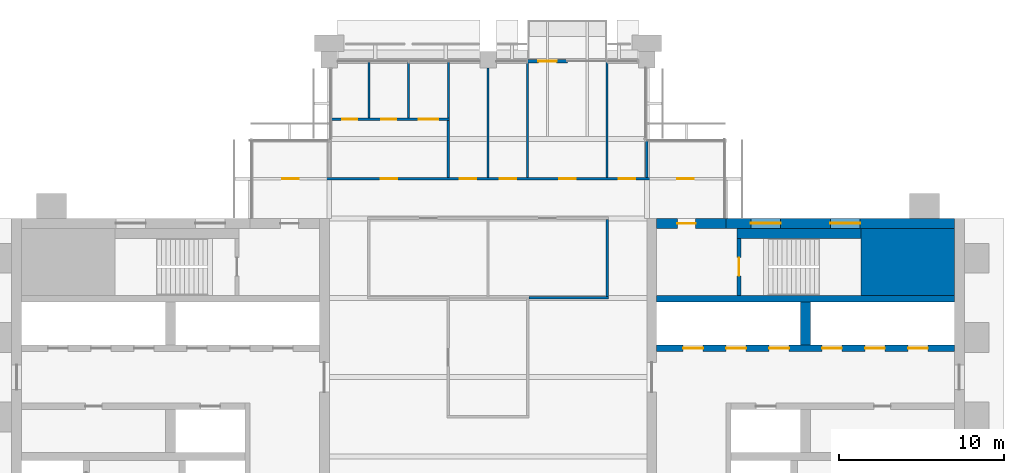
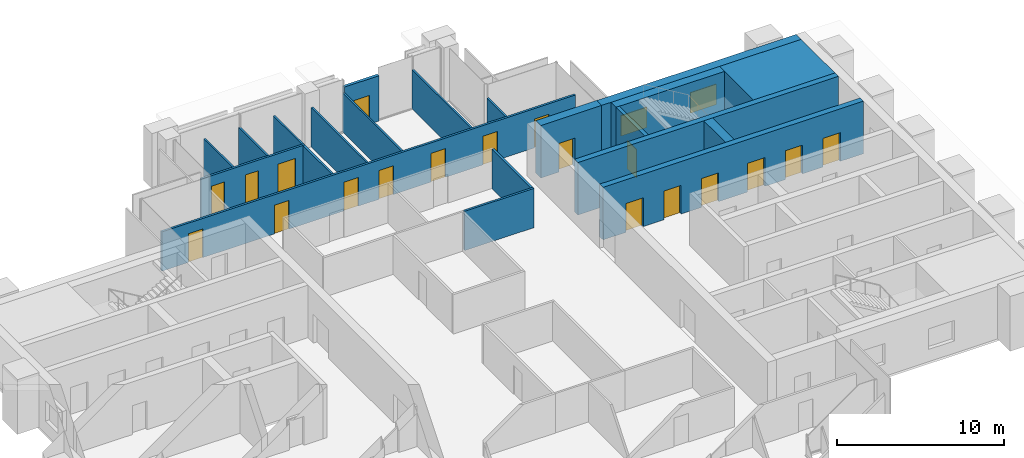
# One storey, part 11 of 13: 21 walls, 19 doors, 2 windows, 21 openings.
"""IFC4 building model written with IfcOpenShell, lengths in metres."""

from ifc_helpers import new_model, si_unit, direction, frame, frame_2d, origin, place, context, subcontext, project, spatial, rectangle, extrude, material, layer, layer_set, type_object, element, fill, save


model = new_model("IFC4")

# Units and contexts
model_context = context("Model", 3, precision=1e-05, world=origin(), true_north=direction((0.0, 1.0)))
body_context = subcontext(model_context, "Body", "Model", "MODEL_VIEW")
ifc_project = project(units=[si_unit("LENGTHUNIT", "METRE"), si_unit("AREAUNIT", "SQUARE_METRE"), si_unit("VOLUMEUNIT", "CUBIC_METRE"), si_unit("PLANEANGLEUNIT", "RADIAN"), si_unit("MASSUNIT", "GRAM", prefix="KILO")], contexts=[model_context])

# Site, building, storey
site_placement = place(None, origin())
site = spatial("IfcSite", under=ifc_project, at=site_placement, CompositionType="ELEMENT")
building_placement = place(site_placement, origin())
building = spatial("IfcBuilding", under=site, at=building_placement, Name="Baori Bourse Tower", CompositionType="ELEMENT")
storey_placement = place(building_placement, frame((0.0, 0.0, 302.300048828125)))
storey = spatial("IfcBuildingStorey", under=building, at=storey_placement, Name="L66", CompositionType="ELEMENT", Elevation=302.300048828125)

# Wall
ifc_material_1 = material(Name="Concrete f'c 40 MPa", Category="concrete")
wall_type_1 = type_object("IfcWallType", Name="Core corner block f'c 40", PredefinedType="SHEAR", material=ifc_material_1)
wall_1_placement = place(storey_placement, frame((51.35009765625, 35.77490234375, 0.0), z_axis=(0.0, 0.0, 1.0), x_axis=(1.0, 0.0, 0.0)))
element("IfcWall", 1, at=wall_1_placement, inside=storey, type_object=wall_type_1, Name="Core wall E23", PredefinedType="SHEAR", context=body_context, shape_type="SweptSolid", body=[
    extrude(rectangle(XDim=5.64990234375, YDim=4.050048828125, at=frame_2d((2.824951171875, 0.0))), origin(), (0.0, 0.0, 1.0), 3.83984375),
])

# Wall, openings, windows
ifc_material_2 = material(Name="Concrete f'c 40 MPa", Category="concrete")
ifc_layer_1 = layer(ifc_material_2, 0.60009765625)
ifc_layer_set_1 = layer_set([ifc_layer_1], Name="Core wall 600 f'c 40")
wall_type_2 = type_object("IfcWallType", Name="Core wall 600 f'c 40", PredefinedType="SHEAR", material=ifc_layer_set_1)
wall_2_placement = place(storey_placement, frame((43.199951171875, 38.10009765625, 0.0), z_axis=(0.0, 0.0, 1.0), x_axis=(1.0, 0.0, 0.0)))
wall_2 = element("IfcWall", 2, at=wall_2_placement, inside=storey, type_object=wall_type_2, Name="Core wall E26", PredefinedType="SHEAR", context=body_context, shape_type="SweptSolid", body=[
    extrude(rectangle(XDim=13.800048828125, YDim=0.60009765625, at=frame_2d((6.89990234375, 0.0))), origin(), (0.0, 0.0, 1.0), 3.83984375),
])
opening_1_placement = place(wall_2_placement, frame((6.300048828125, 0.0, 0.89990234375)))
opening_1 = element("IfcOpeningElement", 3, at=opening_1_placement, cuts=wall_2, Name="Opening L66-KW205", PredefinedType="OPENING", context=body_context, shape_type="SweptSolid", body=[
    extrude(rectangle(XDim=1.800048828125, YDim=1.5, at=frame_2d((0.89990234375, 0.75))), frame((0.0, 0.31005859375, 0.0), z_axis=(0.0, -1.0, 0.0), x_axis=(1.0, 0.0, 0.0)), (0.0, 0.0, 1.0), 0.6201171875),
])
opening_2_placement = place(wall_2_placement, frame((1.5, 0.0, 0.89990234375)))
opening_2 = element("IfcOpeningElement", 4, at=opening_2_placement, cuts=wall_2, Name="Opening L66-KW206", PredefinedType="OPENING", context=body_context, shape_type="SweptSolid", body=[
    extrude(rectangle(XDim=1.800048828125, YDim=1.5, at=frame_2d((0.89990234375, 0.75))), frame((0.0, 0.31005859375, 0.0), z_axis=(0.0, -1.0, 0.0), x_axis=(1.0, 0.0, 0.0)), (0.0, 0.0, 1.0), 0.6201171875),
])
ifc_material_3 = material(Name="Pale anodised aluminium", Category="aluminium")
window_type = type_object("IfcWindowType", Name="Stair window 1800 x 1500", PartitioningType="SINGLE_PANEL", PredefinedType="WINDOW", material=ifc_material_3)
window_1_placement = place(opening_1_placement, origin())
window_1 = element("IfcWindow", 5, at=window_1_placement, inside=storey, type_object=window_type, Name="Stair window E L66 5", OverallHeight=1.5, OverallWidth=1.800048828125, PartitioningType="SINGLE_PANEL", PredefinedType="WINDOW", context=body_context, shape_type="SweptSolid", body=[
    extrude(rectangle(XDim=1.800048828125, YDim=1.5, at=frame_2d((0.89990234375, 0.75))), frame((0.0, 0.030029296875, 0.0), z_axis=(0.0, -1.0, 0.0), x_axis=(1.0, 0.0, 0.0)), (0.0, 0.0, 1.0), 0.06005859375),
])
fill(opening_1, window_1)
window_2_placement = place(opening_2_placement, origin())
window_2 = element("IfcWindow", 6, at=window_2_placement, inside=storey, type_object=window_type, Name="Stair window E L66 6", OverallHeight=1.5, OverallWidth=1.800048828125, PartitioningType="SINGLE_PANEL", PredefinedType="WINDOW", context=body_context, shape_type="SweptSolid", body=[
    extrude(rectangle(XDim=1.800048828125, YDim=1.5, at=frame_2d((0.89990234375, 0.75))), frame((0.0, 0.030029296875, 0.0), z_axis=(0.0, -1.0, 0.0), x_axis=(1.0, 0.0, 0.0)), (0.0, 0.0, 1.0), 0.06005859375),
])
fill(opening_2, window_2)

# Wall, opening, door
wall_3_placement = place(storey_placement, frame((39.0, 38.10009765625, 0.0), z_axis=(0.0, 0.0, 1.0), x_axis=(1.0, 0.0, 0.0)))
wall_3 = element("IfcWall", 7, at=wall_3_placement, inside=storey, type_object=wall_type_2, Name="Core wall E27", PredefinedType="SHEAR", context=body_context, shape_type="SweptSolid", body=[
    extrude(rectangle(XDim=4.199951171875, YDim=0.60009765625, at=frame_2d((2.10009765625, 0.0))), origin(), (0.0, 0.0, 1.0), 3.83984375),
])
opening_3_placement = place(wall_3_placement, frame((1.25, 0.0, 0.0)))
opening_3 = element("IfcOpeningElement", 8, at=opening_3_placement, cuts=wall_3, Name="Opening L66-D204", PredefinedType="OPENING", context=body_context, shape_type="SweptSolid", body=[
    extrude(rectangle(XDim=1.10009765625, YDim=2.10009765625, at=frame_2d((0.550048828125, 1.050048828125))), frame((0.0, 0.31005859375, 0.0), z_axis=(0.0, -1.0, 0.0), x_axis=(1.0, 0.0, 0.0)), (0.0, 0.0, 1.0), 0.6201171875),
])
ifc_material_4 = material(Name="Painted steel door", Category="steel")
door_type_1 = type_object("IfcDoorType", Name="Stair door 1100", OperationType="SINGLE_SWING_LEFT", PredefinedType="DOOR", material=ifc_material_4)
door_1_placement = place(opening_3_placement, origin())
door_1 = element("IfcDoor", 9, at=door_1_placement, inside=storey, type_object=door_type_1, Name="Stair vestibule door B E L66", OperationType="SINGLE_SWING_LEFT", OverallHeight=2.10009765625, OverallWidth=1.10009765625, PredefinedType="DOOR", context=body_context, shape_type="SweptSolid", body=[
    extrude(rectangle(XDim=1.10009765625, YDim=2.10009765625, at=frame_2d((0.550048828125, 1.050048828125))), frame((0.0, 0.02490234375, 0.0), z_axis=(0.0, -1.0, 0.0), x_axis=(1.0, 0.0, 0.0)), (0.0, 0.0, 1.0), 0.050048828125),
])
fill(opening_3, door_1)

# Wall
ifc_material_5 = material(Name="Gypsum board partition")
ifc_layer_2 = layer(ifc_material_5, 0.14990234375)
ifc_layer_set_2 = layer_set([ifc_layer_2], Name="Corridor partition 150")
wall_type_3 = type_object("IfcWallType", Name="Corridor partition 150", PredefinedType="PARTITIONING", material=ifc_layer_set_2)
wall_4_placement = place(storey_placement, frame((31.27490234375, 33.60009765625, 0.0), z_axis=(0.0, 0.0, 1.0), x_axis=(1.0, 0.0, 0.0)))
element("IfcWall", 10, at=wall_4_placement, inside=storey, type_object=wall_type_3, Name="Partition", PredefinedType="PARTITIONING", context=body_context, shape_type="SweptSolid", body=[
    extrude(rectangle(XDim=4.800048828125, YDim=0.14990234375, at=frame_2d((2.39990234375, 0.0))), origin(), (0.0, 0.0, 1.0), 2.86962890625),
])

# Wall, openings, doors
wall_5_placement = place(storey_placement, frame((14.5, 40.800048828125, 0.0), z_axis=(0.0, 0.0, 1.0), x_axis=(1.0, 0.0, 0.0)))
wall_5 = element("IfcWall", 11, at=wall_5_placement, inside=storey, type_object=wall_type_3, Name="Partition", PredefinedType="PARTITIONING", context=body_context, shape_type="SweptSolid", body=[
    extrude(rectangle(XDim=28.60009765625, YDim=0.14990234375, at=frame_2d((14.300048828125, 0.0))), origin(), (0.0, 0.0, 1.0), 2.86962890625),
])
opening_4_placement = place(wall_5_placement, frame((1.85009765625, 0.0, 0.0)))
opening_4 = element("IfcOpeningElement", 12, at=opening_4_placement, cuts=wall_5, Name="Opening L66-D10", PredefinedType="OPENING", context=body_context, shape_type="SweptSolid", body=[
    extrude(rectangle(XDim=1.0, YDim=2.10009765625, at=frame_2d((0.5, 1.050048828125))), frame((0.0, 0.0849609375, 0.0), z_axis=(0.0, -1.0, 0.0), x_axis=(1.0, 0.0, 0.0)), (0.0, 0.0, 1.0), 0.169921875),
])
opening_5_placement = place(wall_5_placement, frame((7.800048828125, 0.0, 0.0)))
opening_5 = element("IfcOpeningElement", 13, at=opening_5_placement, cuts=wall_5, Name="Opening L66-D11", PredefinedType="OPENING", context=body_context, shape_type="SweptSolid", body=[
    extrude(rectangle(XDim=1.0, YDim=2.10009765625, at=frame_2d((0.5, 1.050048828125))), frame((0.0, 0.0849609375, 0.0), z_axis=(0.0, -1.0, 0.0), x_axis=(1.0, 0.0, 0.0)), (0.0, 0.0, 1.0), 0.169921875),
])
opening_6_placement = place(wall_5_placement, frame((12.60009765625, 0.0, 0.0)))
opening_6 = element("IfcOpeningElement", 14, at=opening_6_placement, cuts=wall_5, Name="Opening L66-D12", PredefinedType="OPENING", context=body_context, shape_type="SweptSolid", body=[
    extrude(rectangle(XDim=1.0, YDim=2.10009765625, at=frame_2d((0.5, 1.050048828125))), frame((0.0, 0.0849609375, 0.0), z_axis=(0.0, -1.0, 0.0), x_axis=(1.0, 0.0, 0.0)), (0.0, 0.0, 1.0), 0.169921875),
])
opening_7_placement = place(wall_5_placement, frame((15.0, 0.0, 0.0)))
opening_7 = element("IfcOpeningElement", 15, at=opening_7_placement, cuts=wall_5, Name="Opening L66-D13", PredefinedType="OPENING", context=body_context, shape_type="SweptSolid", body=[
    extrude(rectangle(XDim=1.0, YDim=2.10009765625, at=frame_2d((0.5, 1.050048828125))), frame((0.0, 0.0849609375, 0.0), z_axis=(0.0, -1.0, 0.0), x_axis=(1.0, 0.0, 0.0)), (0.0, 0.0, 1.0), 0.169921875),
])
opening_8_placement = place(wall_5_placement, frame((18.60009765625, 0.0, 0.0)))
opening_8 = element("IfcOpeningElement", 16, at=opening_8_placement, cuts=wall_5, Name="Opening L66-D14", PredefinedType="OPENING", context=body_context, shape_type="SweptSolid", body=[
    extrude(rectangle(XDim=1.0, YDim=2.10009765625, at=frame_2d((0.5, 1.050048828125))), frame((0.0, 0.0849609375, 0.0), z_axis=(0.0, -1.0, 0.0), x_axis=(1.0, 0.0, 0.0)), (0.0, 0.0, 1.0), 0.169921875),
])
opening_9_placement = place(wall_5_placement, frame((22.199951171875, 0.0, 0.0)))
opening_9 = element("IfcOpeningElement", 17, at=opening_9_placement, cuts=wall_5, Name="Opening L66-D15", PredefinedType="OPENING", context=body_context, shape_type="SweptSolid", body=[
    extrude(rectangle(XDim=1.0, YDim=2.10009765625, at=frame_2d((0.5, 1.050048828125))), frame((0.0, 0.0849609375, 0.0), z_axis=(0.0, -1.0, 0.0), x_axis=(1.0, 0.0, 0.0)), (0.0, 0.0, 1.0), 0.169921875),
])
opening_10_placement = place(wall_5_placement, frame((25.75, 0.0, 0.0)))
opening_10 = element("IfcOpeningElement", 18, at=opening_10_placement, cuts=wall_5, Name="Opening L66-D16", PredefinedType="OPENING", context=body_context, shape_type="SweptSolid", body=[
    extrude(rectangle(XDim=1.0, YDim=2.10009765625, at=frame_2d((0.5, 1.050048828125))), frame((0.0, 0.0849609375, 0.0), z_axis=(0.0, -1.0, 0.0), x_axis=(1.0, 0.0, 0.0)), (0.0, 0.0, 1.0), 0.169921875),
])
ifc_material_6 = material(Name="Timber door leaf", Category="wood")
door_type_2 = type_object("IfcDoorType", Name="Door 1000 x 2100", OperationType="SINGLE_SWING_LEFT", PredefinedType="DOOR", material=ifc_material_6)
door_2_placement = place(opening_4_placement, origin())
door_2 = element("IfcDoor", 19, at=door_2_placement, inside=storey, type_object=door_type_2, Name="Door", OperationType="SINGLE_SWING_RIGHT", OverallHeight=2.10009765625, OverallWidth=1.0, PredefinedType="DOOR", context=body_context, shape_type="SweptSolid", body=[
    extrude(rectangle(XDim=1.0, YDim=2.10009765625, at=frame_2d((0.5, 1.050048828125))), frame((0.0, 0.02490234375, 0.0), z_axis=(0.0, -1.0, 0.0), x_axis=(1.0, 0.0, 0.0)), (0.0, 0.0, 1.0), 0.050048828125),
])
fill(opening_4, door_2)
door_3_placement = place(opening_5_placement, origin())
door_3 = element("IfcDoor", 20, at=door_3_placement, inside=storey, type_object=door_type_2, Name="Door", OperationType="SINGLE_SWING_LEFT", OverallHeight=2.10009765625, OverallWidth=1.0, PredefinedType="DOOR", context=body_context, shape_type="SweptSolid", body=[
    extrude(rectangle(XDim=1.0, YDim=2.10009765625, at=frame_2d((0.5, 1.050048828125))), frame((0.0, 0.02490234375, 0.0), z_axis=(0.0, -1.0, 0.0), x_axis=(1.0, 0.0, 0.0)), (0.0, 0.0, 1.0), 0.050048828125),
])
fill(opening_5, door_3)
door_4_placement = place(opening_6_placement, origin())
door_4 = element("IfcDoor", 21, at=door_4_placement, inside=storey, type_object=door_type_2, Name="Door", OperationType="SINGLE_SWING_RIGHT", OverallHeight=2.10009765625, OverallWidth=1.0, PredefinedType="DOOR", context=body_context, shape_type="SweptSolid", body=[
    extrude(rectangle(XDim=1.0, YDim=2.10009765625, at=frame_2d((0.5, 1.050048828125))), frame((0.0, 0.02490234375, 0.0), z_axis=(0.0, -1.0, 0.0), x_axis=(1.0, 0.0, 0.0)), (0.0, 0.0, 1.0), 0.050048828125),
])
fill(opening_6, door_4)
door_5_placement = place(opening_7_placement, origin())
door_5 = element("IfcDoor", 22, at=door_5_placement, inside=storey, type_object=door_type_2, Name="Door", OperationType="SINGLE_SWING_LEFT", OverallHeight=2.10009765625, OverallWidth=1.0, PredefinedType="DOOR", context=body_context, shape_type="SweptSolid", body=[
    extrude(rectangle(XDim=1.0, YDim=2.10009765625, at=frame_2d((0.5, 1.050048828125))), frame((0.0, 0.02490234375, 0.0), z_axis=(0.0, -1.0, 0.0), x_axis=(1.0, 0.0, 0.0)), (0.0, 0.0, 1.0), 0.050048828125),
])
fill(opening_7, door_5)
door_6_placement = place(opening_8_placement, origin())
door_6 = element("IfcDoor", 23, at=door_6_placement, inside=storey, type_object=door_type_2, Name="Door", OperationType="SINGLE_SWING_LEFT", OverallHeight=2.10009765625, OverallWidth=1.0, PredefinedType="DOOR", context=body_context, shape_type="SweptSolid", body=[
    extrude(rectangle(XDim=1.0, YDim=2.10009765625, at=frame_2d((0.5, 1.050048828125))), frame((0.0, 0.02490234375, 0.0), z_axis=(0.0, -1.0, 0.0), x_axis=(1.0, 0.0, 0.0)), (0.0, 0.0, 1.0), 0.050048828125),
])
fill(opening_8, door_6)
door_7_placement = place(opening_9_placement, origin())
door_7 = element("IfcDoor", 24, at=door_7_placement, inside=storey, type_object=door_type_2, Name="Door", OperationType="SINGLE_SWING_LEFT", OverallHeight=2.10009765625, OverallWidth=1.0, PredefinedType="DOOR", context=body_context, shape_type="SweptSolid", body=[
    extrude(rectangle(XDim=1.0, YDim=2.10009765625, at=frame_2d((0.5, 1.050048828125))), frame((0.0, 0.02490234375, 0.0), z_axis=(0.0, -1.0, 0.0), x_axis=(1.0, 0.0, 0.0)), (0.0, 0.0, 1.0), 0.050048828125),
])
fill(opening_9, door_7)
door_8_placement = place(opening_10_placement, origin())
door_8 = element("IfcDoor", 25, at=door_8_placement, inside=storey, type_object=door_type_2, Name="Door", OperationType="SINGLE_SWING_LEFT", OverallHeight=2.10009765625, OverallWidth=1.0, PredefinedType="DOOR", context=body_context, shape_type="SweptSolid", body=[
    extrude(rectangle(XDim=1.0, YDim=2.10009765625, at=frame_2d((0.5, 1.050048828125))), frame((0.0, 0.02490234375, 0.0), z_axis=(0.0, -1.0, 0.0), x_axis=(1.0, 0.0, 0.0)), (0.0, 0.0, 1.0), 0.050048828125),
])
fill(opening_10, door_8)

wall_6_placement = place(storey_placement, frame((19.300048828125, 44.39990234375, 0.0), z_axis=(0.0, 0.0, 1.0), x_axis=(1.0, 0.0, 0.0)))
wall_6 = element("IfcWall", 26, at=wall_6_placement, inside=storey, type_object=wall_type_3, Name="Partition", PredefinedType="PARTITIONING", context=body_context, shape_type="SweptSolid", body=[
    extrude(rectangle(XDim=7.175048828125, YDim=0.14990234375, at=frame_2d((3.58740234375, 0.0))), origin(), (0.0, 0.0, 1.0), 2.86962890625),
])
opening_11_placement = place(wall_6_placement, frame((0.699951171875, 0.0, 0.0)))
opening_11 = element("IfcOpeningElement", 27, at=opening_11_placement, cuts=wall_6, Name="Opening L66-D17", PredefinedType="OPENING", context=body_context, shape_type="SweptSolid", body=[
    extrude(rectangle(XDim=0.89990234375, YDim=2.10009765625, at=frame_2d((0.449951171875, 1.050048828125))), frame((0.0, 0.0849609375, 0.0), z_axis=(0.0, -1.0, 0.0), x_axis=(1.0, 0.0, 0.0)), (0.0, 0.0, 1.0), 0.169921875),
])
opening_12_placement = place(wall_6_placement, frame((3.050048828125, 0.0, 0.0)))
opening_12 = element("IfcOpeningElement", 28, at=opening_12_placement, cuts=wall_6, Name="Opening L66-D18", PredefinedType="OPENING", context=body_context, shape_type="SweptSolid", body=[
    extrude(rectangle(XDim=0.89990234375, YDim=2.10009765625, at=frame_2d((0.449951171875, 1.050048828125))), frame((0.0, 0.0849609375, 0.0), z_axis=(0.0, -1.0, 0.0), x_axis=(1.0, 0.0, 0.0)), (0.0, 0.0, 1.0), 0.169921875),
])
opening_13_placement = place(wall_6_placement, frame((5.300048828125, 0.0, 0.0)))
opening_13 = element("IfcOpeningElement", 29, at=opening_13_placement, cuts=wall_6, Name="Opening L66-D19", PredefinedType="OPENING", context=body_context, shape_type="SweptSolid", body=[
    extrude(rectangle(XDim=1.199951171875, YDim=2.10009765625, at=frame_2d((0.60009765625, 1.050048828125))), frame((0.0, 0.0849609375, 0.0), z_axis=(0.0, -1.0, 0.0), x_axis=(1.0, 0.0, 0.0)), (0.0, 0.0, 1.0), 0.169921875),
])
ifc_material_7 = material(Name="Timber door leaf", Category="wood")
door_type_3 = type_object("IfcDoorType", Name="Door 1200 x 2100", OperationType="SINGLE_SWING_LEFT", PredefinedType="DOOR", material=ifc_material_7)
door_9_placement = place(opening_13_placement, origin())
door_9 = element("IfcDoor", 30, at=door_9_placement, inside=storey, type_object=door_type_3, Name="Door", OperationType="SINGLE_SWING_LEFT", OverallHeight=2.10009765625, OverallWidth=1.199951171875, PredefinedType="DOOR", context=body_context, shape_type="SweptSolid", body=[
    extrude(rectangle(XDim=1.199951171875, YDim=2.10009765625, at=frame_2d((0.60009765625, 1.050048828125))), frame((0.0, 0.02490234375, 0.0), z_axis=(0.0, -1.0, 0.0), x_axis=(1.0, 0.0, 0.0)), (0.0, 0.0, 1.0), 0.050048828125),
])
fill(opening_13, door_9)
ifc_material_8 = material(Name="Timber door leaf", Category="wood")
door_type_4 = type_object("IfcDoorType", Name="Door 900 x 2100", OperationType="SINGLE_SWING_LEFT", PredefinedType="DOOR", material=ifc_material_8)
door_10_placement = place(opening_11_placement, origin())
door_10 = element("IfcDoor", 31, at=door_10_placement, inside=storey, type_object=door_type_4, Name="Door", OperationType="SINGLE_SWING_RIGHT", OverallHeight=2.10009765625, OverallWidth=0.89990234375, PredefinedType="DOOR", context=body_context, shape_type="SweptSolid", body=[
    extrude(rectangle(XDim=0.89990234375, YDim=2.10009765625, at=frame_2d((0.449951171875, 1.050048828125))), frame((0.0, 0.02490234375, 0.0), z_axis=(0.0, -1.0, 0.0), x_axis=(1.0, 0.0, 0.0)), (0.0, 0.0, 1.0), 0.050048828125),
])
fill(opening_11, door_10)
door_11_placement = place(opening_12_placement, origin())
door_11 = element("IfcDoor", 32, at=door_11_placement, inside=storey, type_object=door_type_4, Name="Door", OperationType="SINGLE_SWING_RIGHT", OverallHeight=2.10009765625, OverallWidth=0.89990234375, PredefinedType="DOOR", context=body_context, shape_type="SweptSolid", body=[
    extrude(rectangle(XDim=0.89990234375, YDim=2.10009765625, at=frame_2d((0.449951171875, 1.050048828125))), frame((0.0, 0.02490234375, 0.0), z_axis=(0.0, -1.0, 0.0), x_axis=(1.0, 0.0, 0.0)), (0.0, 0.0, 1.0), 0.050048828125),
])
fill(opening_12, door_11)

# Walls
wall_7_placement = place(storey_placement, frame((26.39990234375, 40.875, 0.0), z_axis=(0.0, 0.0, 1.0), x_axis=(0.0, 1.0, 0.0)))
element("IfcWall", 33, at=wall_7_placement, inside=storey, type_object=wall_type_3, Name="Partition", PredefinedType="PARTITIONING", context=body_context, shape_type="SweptSolid", body=[
    extrude(rectangle(XDim=3.449951171875, YDim=0.14990234375, at=frame_2d((1.72509765625, 0.0))), origin(), (0.0, 0.0, 1.0), 2.86962890625),
])
wall_8_placement = place(storey_placement, frame((36.0, 33.675048828125, 0.0), z_axis=(0.0, 0.0, 1.0), x_axis=(0.0, 1.0, 0.0)))
element("IfcWall", 34, at=wall_8_placement, inside=storey, type_object=wall_type_3, Name="Partition", PredefinedType="PARTITIONING", context=body_context, shape_type="SweptSolid", body=[
    extrude(rectangle(XDim=4.64990234375, YDim=0.14990234375, at=frame_2d((2.324951171875, 0.0))), origin(), (0.0, 0.0, 1.0), 2.86962890625),
])

# Wall, opening, door
ifc_material_9 = material(Name="Pale anodised aluminium", Category="aluminium")
ifc_layer_3 = layer(ifc_material_9, 0.199951171875)
ifc_layer_set_3 = layer_set([ifc_layer_3], Name="EW1 External wall bay")
wall_type_4 = type_object("IfcWallType", Name="EW1 External wall bay", PredefinedType="SOLIDWALL", material=ifc_layer_set_3)
wall_9_placement = place(storey_placement, frame((33.60009765625, 47.89990234375, 0.0), z_axis=(0.0, 0.0, 1.0), x_axis=(-1.0, 0.0, 0.0)))
wall_9 = element("IfcWall", 35, at=wall_9_placement, inside=storey, type_object=wall_type_4, Name="External wall bay L66 1", PredefinedType="SOLIDWALL", context=body_context, shape_type="SweptSolid", body=[
    extrude(rectangle(XDim=2.400146484375, YDim=0.199951171875, at=frame_2d((1.2001953125, 0.0))), origin(), (0.0, 0.0, 1.0), 3.314208984375),
])
opening_14_placement = place(wall_9_placement, frame((0.64990234375, 0.0, 0.0)))
opening_14 = element("IfcOpeningElement", 36, at=opening_14_placement, cuts=wall_9, Name="Opening L66-D91", PredefinedType="OPENING", context=body_context, shape_type="SweptSolid", body=[
    extrude(rectangle(XDim=1.10009765625, YDim=2.10009765625, at=frame_2d((0.550048828125, 1.050048828125))), frame((0.0, 0.10986328125, 0.0), z_axis=(0.0, -1.0, 0.0), x_axis=(1.0, 0.0, 0.0)), (0.0, 0.0, 1.0), 0.219970703125),
])
ifc_material_10 = material(Name="Pale anodised aluminium", Category="aluminium")
door_type_5 = type_object("IfcDoorType", Name="BL1 Balcony door", OperationType="SINGLE_SWING_LEFT", PredefinedType="DOOR", material=ifc_material_10)
door_12_placement = place(opening_14_placement, origin())
door_12 = element("IfcDoor", 37, at=door_12_placement, inside=storey, type_object=door_type_5, Name="Balcony door L66 1", OperationType="SINGLE_SWING_LEFT", OverallHeight=2.10009765625, OverallWidth=1.10009765625, PredefinedType="DOOR", context=body_context, shape_type="SweptSolid", body=[
    extrude(rectangle(XDim=1.10009765625, YDim=2.10009765625, at=frame_2d((0.550048828125, 1.050048828125))), frame((0.0, 0.02490234375, 0.0), z_axis=(0.0, -1.0, 0.0), x_axis=(1.0, 0.0, 0.0)), (0.0, 0.0, 1.0), 0.050048828125),
])
fill(opening_14, door_12)

# Walls
ifc_material_11 = material(Name="Gypsum board partition")
ifc_layer_4 = layer(ifc_material_11, 0.125)
ifc_layer_set_4 = layer_set([ifc_layer_4], Name="Partition 125")
wall_type_5 = type_object("IfcWallType", Name="Partition 125", PredefinedType="PARTITIONING", material=ifc_layer_set_4)
for number, where, z_axis, x_axis, name in (
    (38, (21.60009765625, 44.47509765625, 0.0), (0.0, 0.0, 1.0), (0.0, 1.0, 0.0), "Partition"),
    (39, (24.0, 44.47509765625, 0.0), (0.0, 0.0, 1.0), (0.0, 1.0, 0.0), "Partition"),
    (40, (26.39990234375, 44.47509765625, 0.0), (0.0, 0.0, 1.0), (0.0, 1.0, 0.0), "Partition"),
):
    element("IfcWall", number, at=place(storey_placement, frame(where, z_axis=z_axis, x_axis=x_axis)), inside=storey, type_object=wall_type_5, Name=name, PredefinedType="PARTITIONING", context=body_context, shape_type="SweptSolid", body=[
        extrude(rectangle(XDim=3.4248046875, YDim=0.125, at=frame_2d((1.71240234375, 0.0))), origin(), (0.0, 0.0, 1.0), 2.86962890625),
    ])
wall_10_placement = place(storey_placement, frame((28.800048828125, 40.875, 0.0), z_axis=(0.0, 0.0, 1.0), x_axis=(0.0, 1.0, 0.0)))
element("IfcWall", 41, at=wall_10_placement, inside=storey, type_object=wall_type_5, Name="Partition", PredefinedType="PARTITIONING", context=body_context, shape_type="SweptSolid", body=[
    extrude(rectangle(XDim=6.625, YDim=0.125, at=frame_2d((3.3125, 0.0))), origin(), (0.0, 0.0, 1.0), 2.86962890625),
])
for number, where, z_axis, x_axis, name in (
    (42, (31.199951171875, 40.875, 0.0), (0.0, 0.0, 1.0), (0.0, 1.0, 0.0), "Partition"),
    (43, (36.0, 40.875, 0.0), (0.0, 0.0, 1.0), (0.0, 1.0, 0.0), "Partition"),
):
    element("IfcWall", number, at=place(storey_placement, frame(where, z_axis=z_axis, x_axis=x_axis)), inside=storey, type_object=wall_type_5, Name=name, PredefinedType="PARTITIONING", context=body_context, shape_type="SweptSolid", body=[
        extrude(rectangle(XDim=7.02490234375, YDim=0.125, at=frame_2d((3.512451171875, 0.0))), origin(), (0.0, 0.0, 1.0), 2.86962890625),
    ])
wall_11_placement = place(storey_placement, frame((38.39990234375, 40.875, 0.0), z_axis=(0.0, 0.0, 1.0), x_axis=(0.0, 1.0, 0.0)))
element("IfcWall", 44, at=wall_11_placement, inside=storey, type_object=wall_type_5, Name="Partition", PredefinedType="PARTITIONING", context=body_context, shape_type="SweptSolid", body=[
    extrude(rectangle(XDim=2.22509765625, YDim=0.125, at=frame_2d((1.112548828125, 0.0))), origin(), (0.0, 0.0, 1.0), 2.86962890625),
])

# Wall, opening, door
ifc_material_12 = material(Name="Concrete f'c 40 MPa", Category="concrete")
ifc_layer_5 = layer(ifc_material_12, 0.25)
ifc_layer_set_5 = layer_set([ifc_layer_5], Name="Shaft wall 250 f'c 40")
wall_type_6 = type_object("IfcWallType", Name="Shaft wall 250 f'c 40", PredefinedType="SHEAR", material=ifc_layer_set_5)
wall_12_placement = place(storey_placement, frame((43.97509765625, 33.75, 0.0), z_axis=(0.0, 0.0, 1.0), x_axis=(0.0, 1.0, 0.0)))
wall_12 = element("IfcWall", 45, at=wall_12_placement, inside=storey, type_object=wall_type_6, Name="Core wall E24", PredefinedType="SHEAR", context=body_context, shape_type="SweptSolid", body=[
    extrude(rectangle(XDim=3.449951171875, YDim=0.25, at=frame_2d((1.72509765625, 0.0))), origin(), (0.0, 0.0, 1.0), 3.83984375),
])
opening_15_placement = place(wall_12_placement, frame((1.175048828125, 0.0, 0.0)))
opening_15 = element("IfcOpeningElement", 46, at=opening_15_placement, cuts=wall_12, Name="Opening L66-D203", PredefinedType="OPENING", context=body_context, shape_type="SweptSolid", body=[
    extrude(rectangle(XDim=1.10009765625, YDim=2.10009765625, at=frame_2d((0.550048828125, 1.050048828125))), frame((0.0, 0.135009765625, 0.0), z_axis=(0.0, -1.0, 0.0), x_axis=(1.0, 0.0, 0.0)), (0.0, 0.0, 1.0), 0.27001953125),
])
door_13_placement = place(opening_15_placement, origin())
door_13 = element("IfcDoor", 47, at=door_13_placement, inside=storey, type_object=door_type_1, Name="Stair door B E L66", OperationType="SINGLE_SWING_LEFT", OverallHeight=2.10009765625, OverallWidth=1.10009765625, PredefinedType="DOOR", context=body_context, shape_type="SweptSolid", body=[
    extrude(rectangle(XDim=1.10009765625, YDim=2.10009765625, at=frame_2d((0.550048828125, 1.050048828125))), frame((0.0, 0.02490234375, 0.0), z_axis=(0.0, -1.0, 0.0), x_axis=(1.0, 0.0, 0.0)), (0.0, 0.0, 1.0), 0.050048828125),
])
fill(opening_15, door_13)

# Wall, openings, doors
ifc_material_13 = material(Name="Concrete f'c 40 MPa", Category="concrete")
ifc_layer_6 = layer(ifc_material_13, 0.39990234375)
ifc_layer_set_6 = layer_set([ifc_layer_6], Name="Shaft wall 400 f'c 40")
wall_type_7 = type_object("IfcWallType", Name="Shaft wall 400 f'c 40", PredefinedType="SHEAR", material=ifc_layer_set_6)
wall_13_placement = place(storey_placement, frame((39.0, 30.550048828125, 0.0), z_axis=(0.0, 0.0, 1.0), x_axis=(1.0, 0.0, 0.0)))
wall_13 = element("IfcWall", 48, at=wall_13_placement, inside=storey, type_object=wall_type_7, Name="Core wall E20", PredefinedType="SHEAR", context=body_context, shape_type="SweptSolid", body=[
    extrude(rectangle(XDim=18.0, YDim=0.39990234375, at=frame_2d((9.0, 0.0))), origin(), (0.0, 0.0, 1.0), 3.83984375),
])
opening_16_placement = place(wall_13_placement, frame((15.199951171875, 0.0, 0.0)))
opening_16 = element("IfcOpeningElement", 49, at=opening_16_placement, cuts=wall_13, Name="Opening L66-D214", PredefinedType="OPENING", context=body_context, shape_type="SweptSolid", body=[
    extrude(rectangle(XDim=1.199951171875, YDim=2.10009765625, at=frame_2d((0.60009765625, 1.050048828125))), frame((0.0, 0.2099609375, 0.0), z_axis=(0.0, -1.0, 0.0), x_axis=(1.0, 0.0, 0.0)), (0.0, 0.0, 1.0), 0.419921875),
])
opening_17_placement = place(wall_13_placement, frame((12.60009765625, 0.0, 0.0)))
opening_17 = element("IfcOpeningElement", 50, at=opening_17_placement, cuts=wall_13, Name="Opening L66-D215", PredefinedType="OPENING", context=body_context, shape_type="SweptSolid", body=[
    extrude(rectangle(XDim=1.199951171875, YDim=2.10009765625, at=frame_2d((0.60009765625, 1.050048828125))), frame((0.0, 0.2099609375, 0.0), z_axis=(0.0, -1.0, 0.0), x_axis=(1.0, 0.0, 0.0)), (0.0, 0.0, 1.0), 0.419921875),
])
opening_18_placement = place(wall_13_placement, frame((10.0, 0.0, 0.0)))
opening_18 = element("IfcOpeningElement", 51, at=opening_18_placement, cuts=wall_13, Name="Opening L66-D216", PredefinedType="OPENING", context=body_context, shape_type="SweptSolid", body=[
    extrude(rectangle(XDim=1.199951171875, YDim=2.10009765625, at=frame_2d((0.60009765625, 1.050048828125))), frame((0.0, 0.2099609375, 0.0), z_axis=(0.0, -1.0, 0.0), x_axis=(1.0, 0.0, 0.0)), (0.0, 0.0, 1.0), 0.419921875),
])
opening_19_placement = place(wall_13_placement, frame((6.800048828125, 0.0, 0.0)))
opening_19 = element("IfcOpeningElement", 52, at=opening_19_placement, cuts=wall_13, Name="Opening L66-D217", PredefinedType="OPENING", context=body_context, shape_type="SweptSolid", body=[
    extrude(rectangle(XDim=1.199951171875, YDim=2.10009765625, at=frame_2d((0.60009765625, 1.050048828125))), frame((0.0, 0.2099609375, 0.0), z_axis=(0.0, -1.0, 0.0), x_axis=(1.0, 0.0, 0.0)), (0.0, 0.0, 1.0), 0.419921875),
])
opening_20_placement = place(wall_13_placement, frame((4.199951171875, 0.0, 0.0)))
opening_20 = element("IfcOpeningElement", 53, at=opening_20_placement, cuts=wall_13, Name="Opening L66-D218", PredefinedType="OPENING", context=body_context, shape_type="SweptSolid", body=[
    extrude(rectangle(XDim=1.199951171875, YDim=2.10009765625, at=frame_2d((0.60009765625, 1.050048828125))), frame((0.0, 0.2099609375, 0.0), z_axis=(0.0, -1.0, 0.0), x_axis=(1.0, 0.0, 0.0)), (0.0, 0.0, 1.0), 0.419921875),
])
opening_21_placement = place(wall_13_placement, frame((1.60009765625, 0.0, 0.0)))
opening_21 = element("IfcOpeningElement", 54, at=opening_21_placement, cuts=wall_13, Name="Opening L66-D219", PredefinedType="OPENING", context=body_context, shape_type="SweptSolid", body=[
    extrude(rectangle(XDim=1.199951171875, YDim=2.10009765625, at=frame_2d((0.60009765625, 1.050048828125))), frame((0.0, 0.2099609375, 0.0), z_axis=(0.0, -1.0, 0.0), x_axis=(1.0, 0.0, 0.0)), (0.0, 0.0, 1.0), 0.419921875),
])
ifc_material_14 = material(Name="Stainless steel door", Category="steel")
door_type_6 = type_object("IfcDoorType", Name="Lift landing door", OperationType="DOUBLE_DOOR_SLIDING", PredefinedType="DOOR", material=ifc_material_14)
door_14_placement = place(opening_16_placement, origin())
door_14 = element("IfcDoor", 55, at=door_14_placement, inside=storey, type_object=door_type_6, Name="Lift landing door HR1 E L66", OperationType="DOUBLE_DOOR_SLIDING", OverallHeight=2.10009765625, OverallWidth=1.199951171875, PredefinedType="DOOR", context=body_context, shape_type="SweptSolid", body=[
    extrude(rectangle(XDim=1.199951171875, YDim=2.10009765625, at=frame_2d((0.60009765625, 1.050048828125))), frame((0.0, 0.02490234375, 0.0), z_axis=(0.0, -1.0, 0.0), x_axis=(1.0, 0.0, 0.0)), (0.0, 0.0, 1.0), 0.050048828125),
])
fill(opening_16, door_14)
door_15_placement = place(opening_17_placement, origin())
door_15 = element("IfcDoor", 56, at=door_15_placement, inside=storey, type_object=door_type_6, Name="Lift landing door HR2 E L66", OperationType="DOUBLE_DOOR_SLIDING", OverallHeight=2.10009765625, OverallWidth=1.199951171875, PredefinedType="DOOR", context=body_context, shape_type="SweptSolid", body=[
    extrude(rectangle(XDim=1.199951171875, YDim=2.10009765625, at=frame_2d((0.60009765625, 1.050048828125))), frame((0.0, 0.02490234375, 0.0), z_axis=(0.0, -1.0, 0.0), x_axis=(1.0, 0.0, 0.0)), (0.0, 0.0, 1.0), 0.050048828125),
])
fill(opening_17, door_15)
door_16_placement = place(opening_18_placement, origin())
door_16 = element("IfcDoor", 57, at=door_16_placement, inside=storey, type_object=door_type_6, Name="Lift landing door HR3 E L66", OperationType="DOUBLE_DOOR_SLIDING", OverallHeight=2.10009765625, OverallWidth=1.199951171875, PredefinedType="DOOR", context=body_context, shape_type="SweptSolid", body=[
    extrude(rectangle(XDim=1.199951171875, YDim=2.10009765625, at=frame_2d((0.60009765625, 1.050048828125))), frame((0.0, 0.02490234375, 0.0), z_axis=(0.0, -1.0, 0.0), x_axis=(1.0, 0.0, 0.0)), (0.0, 0.0, 1.0), 0.050048828125),
])
fill(opening_18, door_16)
door_17_placement = place(opening_19_placement, origin())
door_17 = element("IfcDoor", 58, at=door_17_placement, inside=storey, type_object=door_type_6, Name="Lift landing door HR4 E L66", OperationType="DOUBLE_DOOR_SLIDING", OverallHeight=2.10009765625, OverallWidth=1.199951171875, PredefinedType="DOOR", context=body_context, shape_type="SweptSolid", body=[
    extrude(rectangle(XDim=1.199951171875, YDim=2.10009765625, at=frame_2d((0.60009765625, 1.050048828125))), frame((0.0, 0.02490234375, 0.0), z_axis=(0.0, -1.0, 0.0), x_axis=(1.0, 0.0, 0.0)), (0.0, 0.0, 1.0), 0.050048828125),
])
fill(opening_19, door_17)
door_18_placement = place(opening_20_placement, origin())
door_18 = element("IfcDoor", 59, at=door_18_placement, inside=storey, type_object=door_type_6, Name="Lift landing door HR5 E L66", OperationType="DOUBLE_DOOR_SLIDING", OverallHeight=2.10009765625, OverallWidth=1.199951171875, PredefinedType="DOOR", context=body_context, shape_type="SweptSolid", body=[
    extrude(rectangle(XDim=1.199951171875, YDim=2.10009765625, at=frame_2d((0.60009765625, 1.050048828125))), frame((0.0, 0.02490234375, 0.0), z_axis=(0.0, -1.0, 0.0), x_axis=(1.0, 0.0, 0.0)), (0.0, 0.0, 1.0), 0.050048828125),
])
fill(opening_20, door_18)
door_19_placement = place(opening_21_placement, origin())
door_19 = element("IfcDoor", 60, at=door_19_placement, inside=storey, type_object=door_type_6, Name="Lift landing door HR6 E L66", OperationType="DOUBLE_DOOR_SLIDING", OverallHeight=2.10009765625, OverallWidth=1.199951171875, PredefinedType="DOOR", context=body_context, shape_type="SweptSolid", body=[
    extrude(rectangle(XDim=1.199951171875, YDim=2.10009765625, at=frame_2d((0.60009765625, 1.050048828125))), frame((0.0, 0.02490234375, 0.0), z_axis=(0.0, -1.0, 0.0), x_axis=(1.0, 0.0, 0.0)), (0.0, 0.0, 1.0), 0.050048828125),
])
fill(opening_21, door_19)

# Walls
wall_14_placement = place(storey_placement, frame((39.0, 33.550048828125, 0.0), z_axis=(0.0, 0.0, 1.0), x_axis=(1.0, 0.0, 0.0)))
element("IfcWall", 61, at=wall_14_placement, inside=storey, type_object=wall_type_7, Name="Core wall E22", PredefinedType="SHEAR", context=body_context, shape_type="SweptSolid", body=[
    extrude(rectangle(XDim=18.0, YDim=0.39990234375, at=frame_2d((9.0, 0.0))), origin(), (0.0, 0.0, 1.0), 3.83984375),
])
ifc_material_15 = material(Name="Concrete f'c 40 MPa", Category="concrete")
ifc_layer_7 = layer(ifc_material_15, 0.60009765625)
ifc_layer_set_7 = layer_set([ifc_layer_7], Name="Shaft wall 600 f'c 40")
wall_type_8 = type_object("IfcWallType", Name="Shaft wall 600 f'c 40", PredefinedType="SHEAR", material=ifc_layer_set_7)
wall_15_placement = place(storey_placement, frame((48.0, 30.75, 0.0), z_axis=(0.0, 0.0, 1.0), x_axis=(0.0, 1.0, 0.0)))
element("IfcWall", 62, at=wall_15_placement, inside=storey, type_object=wall_type_8, Name="Core wall E21", PredefinedType="SHEAR", context=body_context, shape_type="SweptSolid", body=[
    extrude(rectangle(XDim=2.60009765625, YDim=0.60009765625, at=frame_2d((1.300048828125, 0.0))), origin(), (0.0, 0.0, 1.0), 3.83984375),
])
wall_16_placement = place(storey_placement, frame((43.85009765625, 37.5, 0.0), z_axis=(0.0, 0.0, 1.0), x_axis=(1.0, 0.0, 0.0)))
element("IfcWall", 63, at=wall_16_placement, inside=storey, type_object=wall_type_8, Name="Core wall E25", PredefinedType="SHEAR", context=body_context, shape_type="SweptSolid", body=[
    extrude(rectangle(XDim=7.5, YDim=0.60009765625, at=frame_2d((3.75, 0.0))), origin(), (0.0, 0.0, 1.0), 3.83984375),
])

save(model, "model.ifc")
